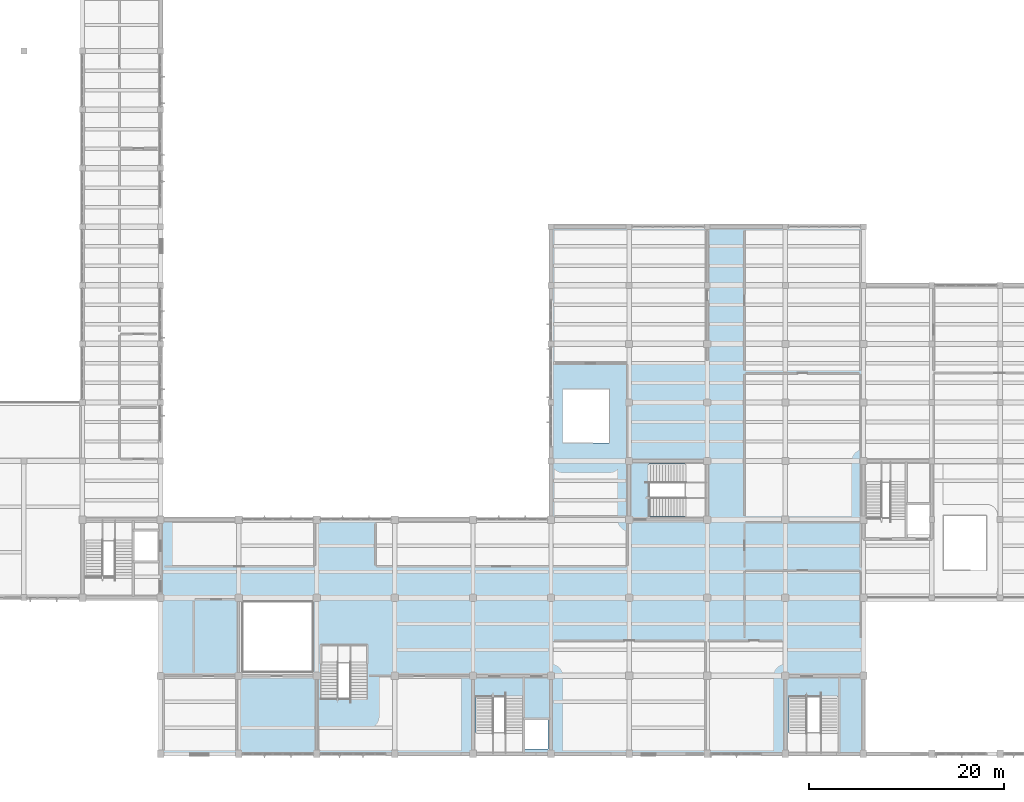
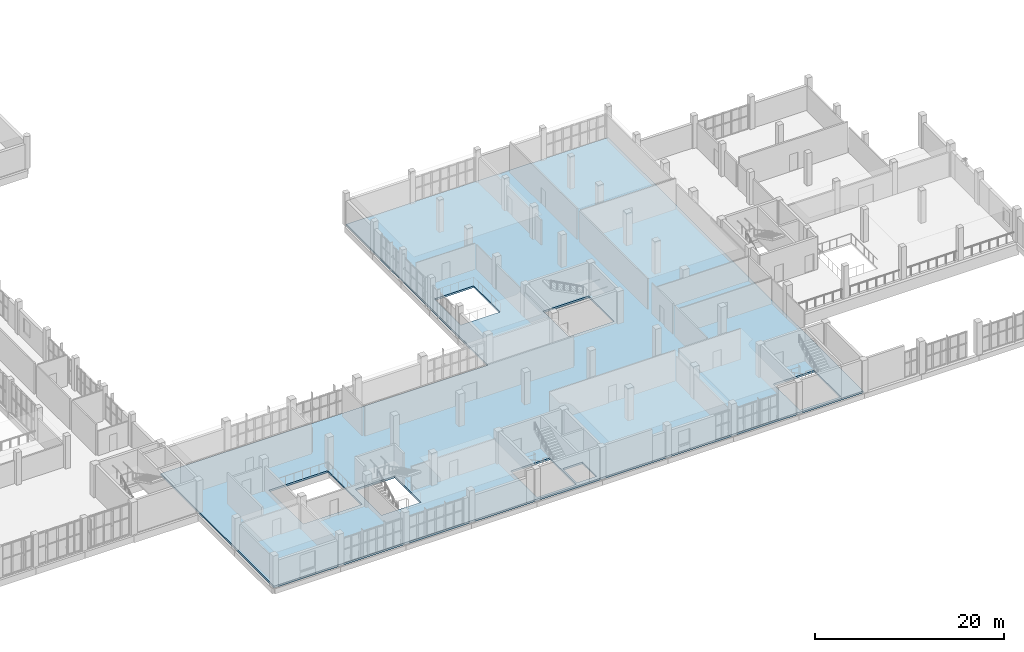
# One storey, part 51 of 85: 1 slab.
"""IFC4 building model written with IfcOpenShell, lengths in metres."""

from ifc_helpers import new_model, si_unit, direction, frame, origin, place, context, subcontext, project, spatial, polyline, outline, extrude, material, layer, layer_set, type_object, element, save


model = new_model("IFC4")

# Units and contexts
model_context = context("Model", 3, precision=1e-05, world=origin(), true_north=direction((0.0, 1.0)))
body_context = subcontext(model_context, "Body", "Model", "MODEL_VIEW")
ifc_project = project(units=[si_unit("LENGTHUNIT", "METRE"), si_unit("AREAUNIT", "SQUARE_METRE"), si_unit("VOLUMEUNIT", "CUBIC_METRE"), si_unit("PLANEANGLEUNIT", "RADIAN"), si_unit("MASSUNIT", "GRAM", prefix="KILO")], contexts=[model_context])

# Site, building, storey
site_placement = place(None, origin())
site = spatial("IfcSite", under=ifc_project, at=site_placement, CompositionType="ELEMENT")
building_placement = place(site_placement, origin())
building = spatial("IfcBuilding", under=site, at=building_placement, Name="Solvane Community Centre", CompositionType="ELEMENT")
storey_placement = place(building_placement, frame((0.0, 0.0, 5.39990234375)))
storey = spatial("IfcBuildingStorey", under=building, at=storey_placement, Name="L01", CompositionType="ELEMENT", Elevation=5.39990234375)

# Slab
ifc_material = material(Name="Concrete C35/45", Category="concrete")
ifc_layer = layer(ifc_material, 0.239990234375)
ifc_layer_set = layer_set([ifc_layer], Name="Concrete C35/45")
slab_type = type_object("IfcSlabType", Name="RC Podium Floor Slab 240mm [FP-L01-V4]", PredefinedType="FLOOR", material=ifc_layer_set)
slab_placement = place(storey_placement, frame((0.0, 0.0, -0.239990234375)))
element("IfcSlab", 1, at=slab_placement, inside=storey, type_object=slab_type, Name="Floor Slab FP-L01-V4", PredefinedType="FLOOR", context=body_context, shape_type="SweptSolid", body=[
    extrude(outline(polyline([(68.0, 6.0), (140.0, 6.0), (140.0, 60.0), (108.0, 60.0), (108.0, 30.0), (68.0, 30.0), (68.0, 6.0)]), holes=[polyline([(100.300048828125, 6.300048828125), (105.10009765625, 6.300048828125), (105.10009765625, 11.8798828125), (100.300048828125, 11.8798828125), (100.300048828125, 6.300048828125)]), polyline([(105.300048828125, 6.5), (107.699951171875, 6.5), (107.699951171875, 9.5), (105.300048828125, 9.5), (105.300048828125, 6.5)]), polyline([(132.39990234375, 6.300048828125), (137.39990234375, 6.300048828125), (137.39990234375, 11.8798828125), (132.39990234375, 11.8798828125), (132.39990234375, 6.300048828125)]), polyline([(118.02001953125, 30.300048828125), (123.60009765625, 30.300048828125), (123.60009765625, 35.699951171875), (118.02001953125, 35.699951171875), (118.02001953125, 30.300048828125)]), polyline([(84.39990234375, 11.639892578125), (89.199951171875, 11.639892578125), (89.199951171875, 17.199951171875), (84.39990234375, 17.199951171875), (84.39990234375, 11.639892578125)]), polyline([(109.199951171875, 37.840087890625), (114.0, 37.840087890625), (114.0, 43.39990234375), (109.199951171875, 43.39990234375), (109.199951171875, 37.840087890625)]), polyline([(76.39990234375, 14.39990234375), (83.60009765625, 14.39990234375), (83.60009765625, 21.60009765625), (76.39990234375, 21.60009765625), (76.39990234375, 14.39990234375)])]), origin(), (0.0, 0.0, 1.0), 0.239990234375),
])

save(model, "model.ifc")
